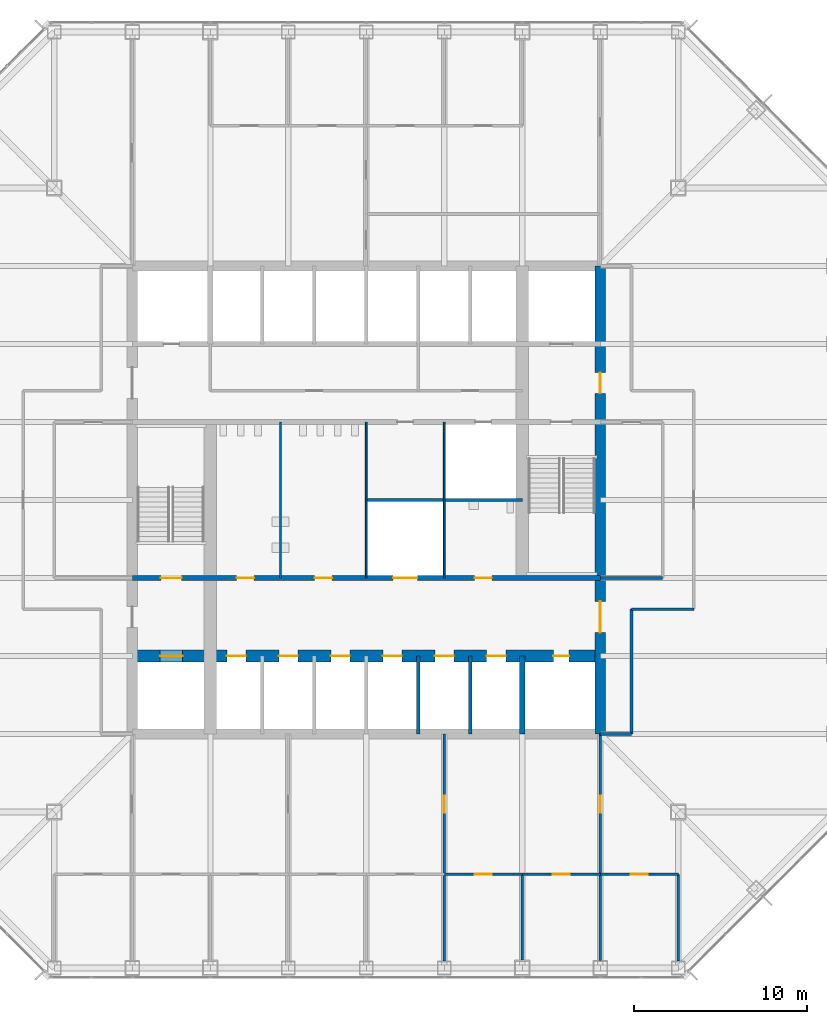
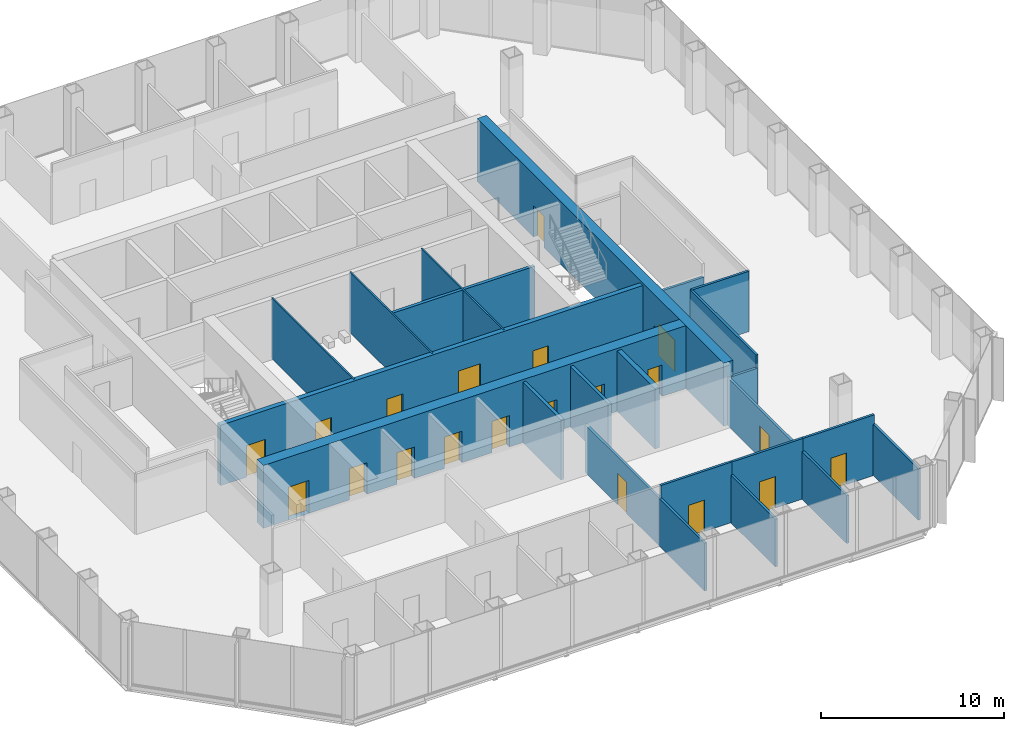
# One storey, part 9 of 13: 23 walls, 20 doors, 20 openings.
"""IFC4 building model written with IfcOpenShell, lengths in metres."""

from ifc_helpers import new_model, si_unit, direction, frame, frame_2d, origin, place, context, subcontext, project, spatial, rectangle, extrude, material, layer, layer_set, type_object, element, fill, save


model = new_model("IFC4")

# Units and contexts
model_context = context("Model", 3, precision=1e-05, world=origin(), true_north=direction((0.0, 1.0)))
body_context = subcontext(model_context, "Body", "Model", "MODEL_VIEW")
ifc_project = project(units=[si_unit("LENGTHUNIT", "METRE"), si_unit("AREAUNIT", "SQUARE_METRE"), si_unit("VOLUMEUNIT", "CUBIC_METRE"), si_unit("PLANEANGLEUNIT", "RADIAN"), si_unit("MASSUNIT", "GRAM", prefix="KILO")], contexts=[model_context])

# Site, building, storey
site_placement = place(None, origin())
site = spatial("IfcSite", under=ifc_project, at=site_placement, CompositionType="ELEMENT")
building_placement = place(site_placement, origin())
building = spatial("IfcBuilding", under=site, at=building_placement, Name="Corais Broadcast Tower", CompositionType="ELEMENT")
storey_placement = place(building_placement, frame((0.0, 0.0, 79.39990234375)))
storey = spatial("IfcBuildingStorey", under=building, at=storey_placement, Name="L17", CompositionType="ELEMENT", Elevation=79.39990234375)

# Wall
ifc_material_1 = material(Name="Concrete blockwork class A, grouted, two-hour", Category="masonry")
ifc_layer_1 = layer(ifc_material_1, 0.300048828125)
ifc_layer_set_1 = layer_set([ifc_layer_1], Name="Concrete blockwork class A, grouted, two-hour")
wall_type_1 = type_object("IfcWallType", Name="Core lobby wall 300", PredefinedType="SOLIDWALL", material=ifc_layer_set_1)
wall_1_placement = place(storey_placement, frame((36.0, 13.5, 0.0), z_axis=(0.0, 0.0, 1.0), x_axis=(0.0, 1.0, 0.0)))
element("IfcWall", 1, at=wall_1_placement, inside=storey, type_object=wall_type_1, Name="CL1 core shaft wall X36A L17", PredefinedType="SOLIDWALL", context=body_context, shape_type="SweptSolid", body=[
    extrude(rectangle(XDim=4.5, YDim=0.300048828125, at=frame_2d((2.25, 0.0))), origin(), (0.0, 0.0, 1.0), 4.0400390625),
])

# Wall, openings, doors
wall_2_placement = place(storey_placement, frame((13.5, 22.5, 0.0), z_axis=(0.0, 0.0, 1.0), x_axis=(1.0, 0.0, 0.0)))
wall_2 = element("IfcWall", 2, at=wall_2_placement, inside=storey, type_object=wall_type_1, Name="CL1 core lobby wall Y225 L17", PredefinedType="SOLIDWALL", context=body_context, shape_type="SweptSolid", body=[
    extrude(rectangle(XDim=27.0, YDim=0.300048828125, at=frame_2d((13.5, 0.0))), origin(), (0.0, 0.0, 1.0), 4.0400390625),
])
opening_1_placement = place(wall_2_placement, frame((1.64990234375, 0.0, 0.0)))
opening_1 = element("IfcOpeningElement", 3, at=opening_1_placement, cuts=wall_2, Name="Opening FD1", PredefinedType="OPENING", context=body_context, shape_type="SweptSolid", body=[
    extrude(rectangle(XDim=1.199951171875, YDim=2.10009765625, at=frame_2d((0.60009765625, 1.050048828125))), frame((0.0, 0.159912109375, 0.0), z_axis=(0.0, -1.0, 0.0), x_axis=(1.0, 0.0, 0.0)), (0.0, 0.0, 1.0), 0.320068359375),
])
opening_2_placement = place(wall_2_placement, frame((6.02490234375, 0.0, 0.0)))
opening_2 = element("IfcOpeningElement", 4, at=opening_2_placement, cuts=wall_2, Name="Opening WD1", PredefinedType="OPENING", context=body_context, shape_type="SweptSolid", body=[
    extrude(rectangle(XDim=1.0, YDim=2.10009765625, at=frame_2d((0.5, 1.050048828125))), frame((0.0, 0.159912109375, 0.0), z_axis=(0.0, -1.0, 0.0), x_axis=(1.0, 0.0, 0.0)), (0.0, 0.0, 1.0), 0.320068359375),
])
opening_3_placement = place(wall_2_placement, frame((10.52490234375, 0.0, 0.0)))
opening_3 = element("IfcOpeningElement", 5, at=opening_3_placement, cuts=wall_2, Name="Opening WD1", PredefinedType="OPENING", context=body_context, shape_type="SweptSolid", body=[
    extrude(rectangle(XDim=1.0, YDim=2.10009765625, at=frame_2d((0.5, 1.050048828125))), frame((0.0, 0.159912109375, 0.0), z_axis=(0.0, -1.0, 0.0), x_axis=(1.0, 0.0, 0.0)), (0.0, 0.0, 1.0), 0.320068359375),
])
opening_4_placement = place(wall_2_placement, frame((19.75, 0.0, 0.0)))
opening_4 = element("IfcOpeningElement", 6, at=opening_4_placement, cuts=wall_2, Name="Opening WD1", PredefinedType="OPENING", context=body_context, shape_type="SweptSolid", body=[
    extrude(rectangle(XDim=1.0, YDim=2.10009765625, at=frame_2d((0.5, 1.050048828125))), frame((0.0, 0.159912109375, 0.0), z_axis=(0.0, -1.0, 0.0), x_axis=(1.0, 0.0, 0.0)), (0.0, 0.0, 1.0), 0.320068359375),
])
opening_5_placement = place(wall_2_placement, frame((15.050048828125, 0.0, 0.0)))
opening_5 = element("IfcOpeningElement", 7, at=opening_5_placement, cuts=wall_2, Name="Opening LD3", PredefinedType="OPENING", context=body_context, shape_type="SweptSolid", body=[
    extrude(rectangle(XDim=1.39990234375, YDim=2.39990234375, at=frame_2d((0.699951171875, 1.199951171875))), frame((0.0, 0.159912109375, 0.0), z_axis=(0.0, -1.0, 0.0), x_axis=(1.0, 0.0, 0.0)), (0.0, 0.0, 1.0), 0.320068359375),
])
ifc_material_2 = material(Name="Steel fire door", Category="steel")
door_type_1 = type_object("IfcDoorType", Name="Fire door 1200x2100", OperationType="SINGLE_SWING_LEFT", PredefinedType="DOOR", material=ifc_material_2)
door_1_placement = place(opening_1_placement, origin())
door_1 = element("IfcDoor", 8, at=door_1_placement, inside=storey, type_object=door_type_1, Name="FD1 stair A door L17", OperationType="SINGLE_SWING_LEFT", OverallHeight=2.10009765625, OverallWidth=1.199951171875, PredefinedType="DOOR", context=body_context, shape_type="SweptSolid", body=[
    extrude(rectangle(XDim=1.199951171875, YDim=2.10009765625, at=frame_2d((0.60009765625, 1.050048828125))), frame((0.0, 0.02490234375, 0.0), z_axis=(0.0, -1.0, 0.0), x_axis=(1.0, 0.0, 0.0)), (0.0, 0.0, 1.0), 0.050048828125),
])
fill(opening_1, door_1)
ifc_material_3 = material(Name="Stainless steel lift door", Category="steel")
door_type_2 = type_object("IfcDoorType", Name="Service lift landing door 1400x2400", OperationType="SLIDING_TO_LEFT", PredefinedType="DOOR", material=ifc_material_3)
door_2_placement = place(opening_5_placement, origin())
door_2 = element("IfcDoor", 9, at=door_2_placement, inside=storey, type_object=door_type_2, Name="LD3 SL1 landing door L17", OperationType="SLIDING_TO_LEFT", OverallHeight=2.39990234375, OverallWidth=1.39990234375, PredefinedType="DOOR", context=body_context, shape_type="SweptSolid", body=[
    extrude(rectangle(XDim=1.39990234375, YDim=2.39990234375, at=frame_2d((0.699951171875, 1.199951171875))), frame((0.0, 0.02490234375, 0.0), z_axis=(0.0, -1.0, 0.0), x_axis=(1.0, 0.0, 0.0)), (0.0, 0.0, 1.0), 0.050048828125),
])
fill(opening_5, door_2)
ifc_material_4 = material(Name="Timber door", Category="wood")
door_type_3 = type_object("IfcDoorType", Name="Toilet door 1000x2100", OperationType="SINGLE_SWING_LEFT", PredefinedType="DOOR", material=ifc_material_4)
door_3_placement = place(opening_2_placement, origin())
door_3 = element("IfcDoor", 10, at=door_3_placement, inside=storey, type_object=door_type_3, Name="WD1 WC male door L17", OperationType="SINGLE_SWING_LEFT", OverallHeight=2.10009765625, OverallWidth=1.0, PredefinedType="DOOR", context=body_context, shape_type="SweptSolid", body=[
    extrude(rectangle(XDim=1.0, YDim=2.10009765625, at=frame_2d((0.5, 1.050048828125))), frame((0.0, 0.02490234375, 0.0), z_axis=(0.0, -1.0, 0.0), x_axis=(1.0, 0.0, 0.0)), (0.0, 0.0, 1.0), 0.050048828125),
])
fill(opening_2, door_3)
door_4_placement = place(opening_3_placement, origin())
door_4 = element("IfcDoor", 11, at=door_4_placement, inside=storey, type_object=door_type_3, Name="WD1 WC female door L17", OperationType="SINGLE_SWING_LEFT", OverallHeight=2.10009765625, OverallWidth=1.0, PredefinedType="DOOR", context=body_context, shape_type="SweptSolid", body=[
    extrude(rectangle(XDim=1.0, YDim=2.10009765625, at=frame_2d((0.5, 1.050048828125))), frame((0.0, 0.02490234375, 0.0), z_axis=(0.0, -1.0, 0.0), x_axis=(1.0, 0.0, 0.0)), (0.0, 0.0, 1.0), 0.050048828125),
])
fill(opening_3, door_4)
door_5_placement = place(opening_4_placement, origin())
door_5 = element("IfcDoor", 12, at=door_5_placement, inside=storey, type_object=door_type_3, Name="WD1 accessible WC door L17", OperationType="SINGLE_SWING_RIGHT", OverallHeight=2.10009765625, OverallWidth=1.0, PredefinedType="DOOR", context=body_context, shape_type="SweptSolid", body=[
    extrude(rectangle(XDim=1.0, YDim=2.10009765625, at=frame_2d((0.5, 1.050048828125))), frame((0.0, 0.02490234375, 0.0), z_axis=(0.0, -1.0, 0.0), x_axis=(1.0, 0.0, 0.0)), (0.0, 0.0, 1.0), 0.050048828125),
])
fill(opening_4, door_5)

ifc_material_5 = material(Name="Concrete C50/60", Category="concrete")
ifc_layer_2 = layer(ifc_material_5, 0.699951171875)
ifc_layer_set_2 = layer_set([ifc_layer_2], Name="Concrete C50/60")
wall_type_2 = type_object("IfcWallType", Name="Core spine wall 700", PredefinedType="SHEAR", material=ifc_layer_set_2)
wall_3_placement = place(storey_placement, frame((13.5, 18.0, 0.0), z_axis=(0.0, 0.0, 1.0), x_axis=(1.0, 0.0, 0.0)))
wall_3 = element("IfcWall", 13, at=wall_3_placement, inside=storey, type_object=wall_type_2, Name="CR700 core wall Y18 L17", PredefinedType="SHEAR", context=body_context, shape_type="SweptSolid", body=[
    extrude(rectangle(XDim=27.0, YDim=0.699951171875, at=frame_2d((13.5, 0.0))), origin(), (0.0, 0.0, 1.0), 4.2001953125),
])
opening_6_placement = place(wall_3_placement, frame((24.300048828125, 0.0, 0.0)))
opening_6 = element("IfcOpeningElement", 14, at=opening_6_placement, cuts=wall_3, Name="Opening RD1", PredefinedType="OPENING", context=body_context, shape_type="SweptSolid", body=[
    extrude(rectangle(XDim=0.89990234375, YDim=2.10009765625, at=frame_2d((0.449951171875, 1.050048828125))), frame((0.0, 0.35986328125, 0.0), z_axis=(0.0, -1.0, 0.0), x_axis=(1.0, 0.0, 0.0)), (0.0, 0.0, 1.0), 0.719970703125),
])
opening_7_placement = place(wall_3_placement, frame((5.449951171875, 0.0, 0.0)))
opening_7 = element("IfcOpeningElement", 15, at=opening_7_placement, cuts=wall_3, Name="Opening LD1", PredefinedType="OPENING", context=body_context, shape_type="SweptSolid", body=[
    extrude(rectangle(XDim=1.10009765625, YDim=2.10009765625, at=frame_2d((0.550048828125, 1.050048828125))), frame((0.0, 0.35986328125, 0.0), z_axis=(0.0, -1.0, 0.0), x_axis=(1.0, 0.0, 0.0)), (0.0, 0.0, 1.0), 0.719970703125),
])
opening_8_placement = place(wall_3_placement, frame((8.449951171875, 0.0, 0.0)))
opening_8 = element("IfcOpeningElement", 16, at=opening_8_placement, cuts=wall_3, Name="Opening LD1", PredefinedType="OPENING", context=body_context, shape_type="SweptSolid", body=[
    extrude(rectangle(XDim=1.10009765625, YDim=2.10009765625, at=frame_2d((0.550048828125, 1.050048828125))), frame((0.0, 0.35986328125, 0.0), z_axis=(0.0, -1.0, 0.0), x_axis=(1.0, 0.0, 0.0)), (0.0, 0.0, 1.0), 0.719970703125),
])
opening_9_placement = place(wall_3_placement, frame((11.449951171875, 0.0, 0.0)))
opening_9 = element("IfcOpeningElement", 17, at=opening_9_placement, cuts=wall_3, Name="Opening LD1", PredefinedType="OPENING", context=body_context, shape_type="SweptSolid", body=[
    extrude(rectangle(XDim=1.10009765625, YDim=2.10009765625, at=frame_2d((0.550048828125, 1.050048828125))), frame((0.0, 0.35986328125, 0.0), z_axis=(0.0, -1.0, 0.0), x_axis=(1.0, 0.0, 0.0)), (0.0, 0.0, 1.0), 0.719970703125),
])
opening_10_placement = place(wall_3_placement, frame((14.449951171875, 0.0, 0.0)))
opening_10 = element("IfcOpeningElement", 18, at=opening_10_placement, cuts=wall_3, Name="Opening LD1", PredefinedType="OPENING", context=body_context, shape_type="SweptSolid", body=[
    extrude(rectangle(XDim=1.10009765625, YDim=2.10009765625, at=frame_2d((0.550048828125, 1.050048828125))), frame((0.0, 0.35986328125, 0.0), z_axis=(0.0, -1.0, 0.0), x_axis=(1.0, 0.0, 0.0)), (0.0, 0.0, 1.0), 0.719970703125),
])
opening_11_placement = place(wall_3_placement, frame((17.449951171875, 0.0, 0.0)))
opening_11 = element("IfcOpeningElement", 19, at=opening_11_placement, cuts=wall_3, Name="Opening LD1", PredefinedType="OPENING", context=body_context, shape_type="SweptSolid", body=[
    extrude(rectangle(XDim=1.10009765625, YDim=2.10009765625, at=frame_2d((0.550048828125, 1.050048828125))), frame((0.0, 0.35986328125, 0.0), z_axis=(0.0, -1.0, 0.0), x_axis=(1.0, 0.0, 0.0)), (0.0, 0.0, 1.0), 0.719970703125),
])
opening_12_placement = place(wall_3_placement, frame((20.449951171875, 0.0, 0.0)))
opening_12 = element("IfcOpeningElement", 20, at=opening_12_placement, cuts=wall_3, Name="Opening LD1", PredefinedType="OPENING", context=body_context, shape_type="SweptSolid", body=[
    extrude(rectangle(XDim=1.10009765625, YDim=2.10009765625, at=frame_2d((0.550048828125, 1.050048828125))), frame((0.0, 0.35986328125, 0.0), z_axis=(0.0, -1.0, 0.0), x_axis=(1.0, 0.0, 0.0)), (0.0, 0.0, 1.0), 0.719970703125),
])
opening_13_placement = place(wall_3_placement, frame((1.60009765625, 0.0, 0.0)))
opening_13 = element("IfcOpeningElement", 21, at=opening_13_placement, cuts=wall_3, Name="Opening LD2", PredefinedType="OPENING", context=body_context, shape_type="SweptSolid", body=[
    extrude(rectangle(XDim=1.300048828125, YDim=2.199951171875, at=frame_2d((0.64990234375, 1.10009765625))), frame((0.0, 0.35986328125, 0.0), z_axis=(0.0, -1.0, 0.0), x_axis=(1.0, 0.0, 0.0)), (0.0, 0.0, 1.0), 0.719970703125),
])
ifc_material_6 = material(Name="Stainless steel lift door", Category="steel")
door_type_4 = type_object("IfcDoorType", Name="Lift landing door 1100x2100", OperationType="SLIDING_TO_LEFT", PredefinedType="DOOR", material=ifc_material_6)
door_6_placement = place(opening_7_placement, origin())
door_6 = element("IfcDoor", 22, at=door_6_placement, inside=storey, type_object=door_type_4, Name="LD1 PL1 landing door L17", OperationType="SLIDING_TO_LEFT", OverallHeight=2.10009765625, OverallWidth=1.10009765625, PredefinedType="DOOR", context=body_context, shape_type="SweptSolid", body=[
    extrude(rectangle(XDim=1.10009765625, YDim=2.10009765625, at=frame_2d((0.550048828125, 1.050048828125))), frame((0.0, 0.02490234375, 0.0), z_axis=(0.0, -1.0, 0.0), x_axis=(1.0, 0.0, 0.0)), (0.0, 0.0, 1.0), 0.050048828125),
])
fill(opening_7, door_6)
door_7_placement = place(opening_8_placement, origin())
door_7 = element("IfcDoor", 23, at=door_7_placement, inside=storey, type_object=door_type_4, Name="LD1 PL2 landing door L17", OperationType="SLIDING_TO_LEFT", OverallHeight=2.10009765625, OverallWidth=1.10009765625, PredefinedType="DOOR", context=body_context, shape_type="SweptSolid", body=[
    extrude(rectangle(XDim=1.10009765625, YDim=2.10009765625, at=frame_2d((0.550048828125, 1.050048828125))), frame((0.0, 0.02490234375, 0.0), z_axis=(0.0, -1.0, 0.0), x_axis=(1.0, 0.0, 0.0)), (0.0, 0.0, 1.0), 0.050048828125),
])
fill(opening_8, door_7)
door_8_placement = place(opening_9_placement, origin())
door_8 = element("IfcDoor", 24, at=door_8_placement, inside=storey, type_object=door_type_4, Name="LD1 PL3 landing door L17", OperationType="SLIDING_TO_LEFT", OverallHeight=2.10009765625, OverallWidth=1.10009765625, PredefinedType="DOOR", context=body_context, shape_type="SweptSolid", body=[
    extrude(rectangle(XDim=1.10009765625, YDim=2.10009765625, at=frame_2d((0.550048828125, 1.050048828125))), frame((0.0, 0.02490234375, 0.0), z_axis=(0.0, -1.0, 0.0), x_axis=(1.0, 0.0, 0.0)), (0.0, 0.0, 1.0), 0.050048828125),
])
fill(opening_9, door_8)
door_9_placement = place(opening_10_placement, origin())
door_9 = element("IfcDoor", 25, at=door_9_placement, inside=storey, type_object=door_type_4, Name="LD1 PL4 landing door L17", OperationType="SLIDING_TO_LEFT", OverallHeight=2.10009765625, OverallWidth=1.10009765625, PredefinedType="DOOR", context=body_context, shape_type="SweptSolid", body=[
    extrude(rectangle(XDim=1.10009765625, YDim=2.10009765625, at=frame_2d((0.550048828125, 1.050048828125))), frame((0.0, 0.02490234375, 0.0), z_axis=(0.0, -1.0, 0.0), x_axis=(1.0, 0.0, 0.0)), (0.0, 0.0, 1.0), 0.050048828125),
])
fill(opening_10, door_9)
door_10_placement = place(opening_11_placement, origin())
door_10 = element("IfcDoor", 26, at=door_10_placement, inside=storey, type_object=door_type_4, Name="LD1 PL5 landing door L17", OperationType="SLIDING_TO_LEFT", OverallHeight=2.10009765625, OverallWidth=1.10009765625, PredefinedType="DOOR", context=body_context, shape_type="SweptSolid", body=[
    extrude(rectangle(XDim=1.10009765625, YDim=2.10009765625, at=frame_2d((0.550048828125, 1.050048828125))), frame((0.0, 0.02490234375, 0.0), z_axis=(0.0, -1.0, 0.0), x_axis=(1.0, 0.0, 0.0)), (0.0, 0.0, 1.0), 0.050048828125),
])
fill(opening_11, door_10)
door_11_placement = place(opening_12_placement, origin())
door_11 = element("IfcDoor", 27, at=door_11_placement, inside=storey, type_object=door_type_4, Name="LD1 PL6 landing door L17", OperationType="SLIDING_TO_LEFT", OverallHeight=2.10009765625, OverallWidth=1.10009765625, PredefinedType="DOOR", context=body_context, shape_type="SweptSolid", body=[
    extrude(rectangle(XDim=1.10009765625, YDim=2.10009765625, at=frame_2d((0.550048828125, 1.050048828125))), frame((0.0, 0.02490234375, 0.0), z_axis=(0.0, -1.0, 0.0), x_axis=(1.0, 0.0, 0.0)), (0.0, 0.0, 1.0), 0.050048828125),
])
fill(opening_12, door_11)
ifc_material_7 = material(Name="Stainless steel lift door", Category="steel")
door_type_5 = type_object("IfcDoorType", Name="Lift landing door 1300x2200", OperationType="SLIDING_TO_LEFT", PredefinedType="DOOR", material=ifc_material_7)
door_12_placement = place(opening_13_placement, origin())
door_12 = element("IfcDoor", 28, at=door_12_placement, inside=storey, type_object=door_type_5, Name="LD2 FL1 landing door L17", OperationType="SLIDING_TO_LEFT", OverallHeight=2.199951171875, OverallWidth=1.300048828125, PredefinedType="DOOR", context=body_context, shape_type="SweptSolid", body=[
    extrude(rectangle(XDim=1.300048828125, YDim=2.199951171875, at=frame_2d((0.64990234375, 1.10009765625))), frame((0.0, 0.02490234375, 0.0), z_axis=(0.0, -1.0, 0.0), x_axis=(1.0, 0.0, 0.0)), (0.0, 0.0, 1.0), 0.050048828125),
])
fill(opening_13, door_12)
ifc_material_8 = material(Name="Steel fire door", Category="steel")
door_type_6 = type_object("IfcDoorType", Name="Riser door 900x2100", OperationType="SINGLE_SWING_LEFT", PredefinedType="DOOR", material=ifc_material_8)
door_13_placement = place(opening_6_placement, origin())
door_13 = element("IfcDoor", 29, at=door_13_placement, inside=storey, type_object=door_type_6, Name="RD1 riser door L17", OperationType="SINGLE_SWING_RIGHT", OverallHeight=2.10009765625, OverallWidth=0.89990234375, PredefinedType="DOOR", context=body_context, shape_type="SweptSolid", body=[
    extrude(rectangle(XDim=0.89990234375, YDim=2.10009765625, at=frame_2d((0.449951171875, 1.050048828125))), frame((0.0, 0.02490234375, 0.0), z_axis=(0.0, -1.0, 0.0), x_axis=(1.0, 0.0, 0.0)), (0.0, 0.0, 1.0), 0.050048828125),
])
fill(opening_6, door_13)

ifc_material_9 = material(Name="Concrete C50/60", Category="concrete")
ifc_layer_3 = layer(ifc_material_9, 0.60009765625)
ifc_layer_set_3 = layer_set([ifc_layer_3], Name="Concrete C50/60")
wall_type_3 = type_object("IfcWallType", Name="Core wall 600", PredefinedType="SHEAR", material=ifc_layer_set_3)
wall_4_placement = place(storey_placement, frame((40.5, 13.5, 0.0), z_axis=(0.0, 0.0, 1.0), x_axis=(0.0, 1.0, 0.0)))
wall_4 = element("IfcWall", 30, at=wall_4_placement, inside=storey, type_object=wall_type_3, Name="CR600 core wall E L17", PredefinedType="SHEAR", context=body_context, shape_type="SweptSolid", body=[
    extrude(rectangle(XDim=27.0, YDim=0.60009765625, at=frame_2d((13.5, 0.0))), origin(), (0.0, 0.0, 1.0), 4.2001953125),
])
opening_14_placement = place(wall_4_placement, frame((5.85009765625, 0.0, 0.0)))
opening_14 = element("IfcOpeningElement", 31, at=opening_14_placement, cuts=wall_4, Name="Opening FD2", PredefinedType="OPENING", context=body_context, shape_type="SweptSolid", body=[
    extrude(rectangle(XDim=1.800048828125, YDim=2.10009765625, at=frame_2d((0.89990234375, 1.050048828125))), frame((0.0, 0.31005859375, 0.0), z_axis=(0.0, -1.0, 0.0), x_axis=(1.0, 0.0, 0.0)), (0.0, 0.0, 1.0), 0.6201171875),
])
opening_15_placement = place(wall_4_placement, frame((19.64990234375, 0.0, 0.0)))
opening_15 = element("IfcOpeningElement", 32, at=opening_15_placement, cuts=wall_4, Name="Opening FD1", PredefinedType="OPENING", context=body_context, shape_type="SweptSolid", body=[
    extrude(rectangle(XDim=1.199951171875, YDim=2.10009765625, at=frame_2d((0.60009765625, 1.050048828125))), frame((0.0, 0.31005859375, 0.0), z_axis=(0.0, -1.0, 0.0), x_axis=(1.0, 0.0, 0.0)), (0.0, 0.0, 1.0), 0.6201171875),
])
door_14_placement = place(opening_15_placement, origin())
door_14 = element("IfcDoor", 33, at=door_14_placement, inside=storey, type_object=door_type_1, Name="FD1 fire lobby B door L17", OperationType="SINGLE_SWING_RIGHT", OverallHeight=2.10009765625, OverallWidth=1.199951171875, PredefinedType="DOOR", context=body_context, shape_type="SweptSolid", body=[
    extrude(rectangle(XDim=1.199951171875, YDim=2.10009765625, at=frame_2d((0.60009765625, 1.050048828125))), frame((0.0, 0.02490234375, 0.0), z_axis=(0.0, -1.0, 0.0), x_axis=(1.0, 0.0, 0.0)), (0.0, 0.0, 1.0), 0.050048828125),
])
fill(opening_15, door_14)
ifc_material_10 = material(Name="Steel fire door", Category="steel")
door_type_7 = type_object("IfcDoorType", Name="Fire door pair 1800x2100", OperationType="DOUBLE_DOOR_SINGLE_SWING", PredefinedType="DOOR", material=ifc_material_10)
door_15_placement = place(opening_14_placement, origin())
door_15 = element("IfcDoor", 34, at=door_15_placement, inside=storey, type_object=door_type_7, Name="FD2 lift lobby door L17", OperationType="SINGLE_SWING_LEFT", OverallHeight=2.10009765625, OverallWidth=1.800048828125, PredefinedType="DOOR", context=body_context, shape_type="SweptSolid", body=[
    extrude(rectangle(XDim=1.800048828125, YDim=2.10009765625, at=frame_2d((0.89990234375, 1.050048828125))), frame((0.0, 0.02490234375, 0.0), z_axis=(0.0, -1.0, 0.0), x_axis=(1.0, 0.0, 0.0)), (0.0, 0.0, 1.0), 0.050048828125),
])
fill(opening_14, door_15)

# Walls
ifc_material_11 = material(Name="Gypsum board on steel studs", Category="steel")
ifc_layer_4 = layer(ifc_material_11, 0.14990234375)
ifc_layer_set_4 = layer_set([ifc_layer_4], Name="Gypsum board on steel studs")
wall_type_4 = type_object("IfcWallType", Name="Partition 150", PredefinedType="PARTITIONING", material=ifc_layer_set_4)
wall_5_placement = place(storey_placement, frame((42.300048828125, 13.5, 0.0), z_axis=(0.0, 0.0, 1.0), x_axis=(0.0, 1.0, 0.0)))
element("IfcWall", 35, at=wall_5_placement, inside=storey, type_object=wall_type_4, Name="IW3 corridor wall L17", PredefinedType="PARTITIONING", context=body_context, shape_type="SweptSolid", body=[
    extrude(rectangle(XDim=7.199951171875, YDim=0.14990234375, at=frame_2d((3.60009765625, 0.0))), origin(), (0.0, 0.0, 1.0), 4.0400390625),
])
wall_6_placement = place(storey_placement, frame((42.300048828125, 20.699951171875, 0.0), z_axis=(0.0, 0.0, 1.0), x_axis=(1.0, 0.0, 0.0)))
element("IfcWall", 36, at=wall_6_placement, inside=storey, type_object=wall_type_4, Name="IW3 corridor wall L17", PredefinedType="PARTITIONING", context=body_context, shape_type="SweptSolid", body=[
    extrude(rectangle(XDim=3.599853515625, YDim=0.14990234375, at=frame_2d((1.7998046875, 0.0))), origin(), (0.0, 0.0, 1.0), 4.0400390625),
])
wall_7_placement = place(storey_placement, frame((40.489990234375, 13.5, 0.0), z_axis=(0.0, 0.0, 1.0), x_axis=(1.0, 0.0, 0.0)))
element("IfcWall", 37, at=wall_7_placement, inside=storey, type_object=wall_type_4, Name="IW3 corridor wall L17", PredefinedType="PARTITIONING", context=body_context, shape_type="SweptSolid", body=[
    extrude(rectangle(XDim=1.81005859375, YDim=0.14990234375, at=frame_2d((0.905029296875, 0.0))), origin(), (0.0, 0.0, 1.0), 3.189208984375),
])
wall_8_placement = place(storey_placement, frame((31.5, 0.409912109375, 0.0), z_axis=(0.0, 0.0, 1.0), x_axis=(0.0, 1.0, 0.0)))
element("IfcWall", 38, at=wall_8_placement, inside=storey, type_object=wall_type_4, Name="IW3 partition L17", PredefinedType="PARTITIONING", context=body_context, shape_type="SweptSolid", body=[
    extrude(rectangle(XDim=4.989990234375, YDim=0.14990234375, at=frame_2d((2.4951171875, 0.0))), origin(), (0.0, 0.0, 1.0), 3.189208984375),
])
wall_9_placement = place(storey_placement, frame((36.0, 0.4599609375, 0.0), z_axis=(0.0, 0.0, 1.0), x_axis=(0.0, 1.0, 0.0)))
element("IfcWall", 39, at=wall_9_placement, inside=storey, type_object=wall_type_4, Name="IW3 partition L17", PredefinedType="PARTITIONING", context=body_context, shape_type="SweptSolid", body=[
    extrude(rectangle(XDim=4.93994140625, YDim=0.14990234375, at=frame_2d((2.469970703125, 0.0))), origin(), (0.0, 0.0, 1.0), 3.189208984375),
])

# Wall, opening, door
wall_10_placement = place(storey_placement, frame((36.0, 5.39990234375, 0.0), z_axis=(0.0, 0.0, 1.0), x_axis=(-1.0, 0.0, 0.0)))
wall_10 = element("IfcWall", 40, at=wall_10_placement, inside=storey, type_object=wall_type_4, Name="IW3 partition L17", PredefinedType="PARTITIONING", context=body_context, shape_type="SweptSolid", body=[
    extrude(rectangle(XDim=4.5, YDim=0.14990234375, at=frame_2d((2.25, 0.0))), origin(), (0.0, 0.0, 1.0), 4.0400390625),
])
opening_16_placement = place(wall_10_placement, frame((1.75, 0.0, 0.0)))
opening_16 = element("IfcOpeningElement", 41, at=opening_16_placement, cuts=wall_10, Name="Opening D1", PredefinedType="OPENING", context=body_context, shape_type="SweptSolid", body=[
    extrude(rectangle(XDim=1.0, YDim=2.10009765625, at=frame_2d((0.5, 1.050048828125))), frame((0.0, 0.0849609375, 0.0), z_axis=(0.0, -1.0, 0.0), x_axis=(1.0, 0.0, 0.0)), (0.0, 0.0, 1.0), 0.169921875),
])
ifc_material_12 = material(Name="Timber door", Category="wood")
door_type_8 = type_object("IfcDoorType", Name="Single door 1000x2100", OperationType="SINGLE_SWING_LEFT", PredefinedType="DOOR", material=ifc_material_12)
door_16_placement = place(opening_16_placement, origin())
door_16 = element("IfcDoor", 42, at=door_16_placement, inside=storey, type_object=door_type_8, Name="D1 Office door", OperationType="SINGLE_SWING_LEFT", OverallHeight=2.10009765625, OverallWidth=1.0, PredefinedType="DOOR", context=body_context, shape_type="SweptSolid", body=[
    extrude(rectangle(XDim=1.0, YDim=2.10009765625, at=frame_2d((0.5, 1.050048828125))), frame((0.0, 0.02490234375, 0.0), z_axis=(0.0, -1.0, 0.0), x_axis=(1.0, 0.0, 0.0)), (0.0, 0.0, 1.0), 0.050048828125),
])
fill(opening_16, door_16)

# Wall
wall_11_placement = place(storey_placement, frame((40.5, 0.43505859375, 0.0), z_axis=(0.0, 0.0, 1.0), x_axis=(0.0, 1.0, 0.0)))
element("IfcWall", 43, at=wall_11_placement, inside=storey, type_object=wall_type_4, Name="IW3 partition L17", PredefinedType="PARTITIONING", context=body_context, shape_type="SweptSolid", body=[
    extrude(rectangle(XDim=4.96484375, YDim=0.14990234375, at=frame_2d((2.482421875, 0.0))), origin(), (0.0, 0.0, 1.0), 3.189208984375),
])

# Wall, opening, door
wall_12_placement = place(storey_placement, frame((40.5, 5.39990234375, 0.0), z_axis=(0.0, 0.0, 1.0), x_axis=(-1.0, 0.0, 0.0)))
wall_12 = element("IfcWall", 44, at=wall_12_placement, inside=storey, type_object=wall_type_4, Name="IW3 partition L17", PredefinedType="PARTITIONING", context=body_context, shape_type="SweptSolid", body=[
    extrude(rectangle(XDim=4.5, YDim=0.14990234375, at=frame_2d((2.25, 0.0))), origin(), (0.0, 0.0, 1.0), 4.0400390625),
])
opening_17_placement = place(wall_12_placement, frame((1.75, 0.0, 0.0)))
opening_17 = element("IfcOpeningElement", 45, at=opening_17_placement, cuts=wall_12, Name="Opening D1", PredefinedType="OPENING", context=body_context, shape_type="SweptSolid", body=[
    extrude(rectangle(XDim=1.0, YDim=2.10009765625, at=frame_2d((0.5, 1.050048828125))), frame((0.0, 0.0849609375, 0.0), z_axis=(0.0, -1.0, 0.0), x_axis=(1.0, 0.0, 0.0)), (0.0, 0.0, 1.0), 0.169921875),
])
door_17_placement = place(opening_17_placement, origin())
door_17 = element("IfcDoor", 46, at=door_17_placement, inside=storey, type_object=door_type_8, Name="D1 Office door", OperationType="SINGLE_SWING_LEFT", OverallHeight=2.10009765625, OverallWidth=1.0, PredefinedType="DOOR", context=body_context, shape_type="SweptSolid", body=[
    extrude(rectangle(XDim=1.0, YDim=2.10009765625, at=frame_2d((0.5, 1.050048828125))), frame((0.0, 0.02490234375, 0.0), z_axis=(0.0, -1.0, 0.0), x_axis=(1.0, 0.0, 0.0)), (0.0, 0.0, 1.0), 0.050048828125),
])
fill(opening_17, door_17)

# Wall
wall_13_placement = place(storey_placement, frame((45.0, 0.409912109375, 0.0), z_axis=(0.0, 0.0, 1.0), x_axis=(0.0, 1.0, 0.0)))
element("IfcWall", 47, at=wall_13_placement, inside=storey, type_object=wall_type_4, Name="IW3 partition L17", PredefinedType="PARTITIONING", context=body_context, shape_type="SweptSolid", body=[
    extrude(rectangle(XDim=4.989990234375, YDim=0.14990234375, at=frame_2d((2.4951171875, 0.0))), origin(), (0.0, 0.0, 1.0), 3.42919921875),
])

# Wall, opening, door
wall_14_placement = place(storey_placement, frame((45.0, 5.39990234375, 0.0), z_axis=(0.0, 0.0, 1.0), x_axis=(-1.0, 0.0, 0.0)))
wall_14 = element("IfcWall", 48, at=wall_14_placement, inside=storey, type_object=wall_type_4, Name="IW3 partition L17", PredefinedType="PARTITIONING", context=body_context, shape_type="SweptSolid", body=[
    extrude(rectangle(XDim=4.5, YDim=0.14990234375, at=frame_2d((2.25, 0.0))), origin(), (0.0, 0.0, 1.0), 4.0400390625),
])
opening_18_placement = place(wall_14_placement, frame((1.75, 0.0, 0.0)))
opening_18 = element("IfcOpeningElement", 49, at=opening_18_placement, cuts=wall_14, Name="Opening D1", PredefinedType="OPENING", context=body_context, shape_type="SweptSolid", body=[
    extrude(rectangle(XDim=1.0, YDim=2.10009765625, at=frame_2d((0.5, 1.050048828125))), frame((0.0, 0.0849609375, 0.0), z_axis=(0.0, -1.0, 0.0), x_axis=(1.0, 0.0, 0.0)), (0.0, 0.0, 1.0), 0.169921875),
])
door_18_placement = place(opening_18_placement, origin())
door_18 = element("IfcDoor", 50, at=door_18_placement, inside=storey, type_object=door_type_8, Name="D1 Office door", OperationType="SINGLE_SWING_LEFT", OverallHeight=2.10009765625, OverallWidth=1.0, PredefinedType="DOOR", context=body_context, shape_type="SweptSolid", body=[
    extrude(rectangle(XDim=1.0, YDim=2.10009765625, at=frame_2d((0.5, 1.050048828125))), frame((0.0, 0.02490234375, 0.0), z_axis=(0.0, -1.0, 0.0), x_axis=(1.0, 0.0, 0.0)), (0.0, 0.0, 1.0), 0.050048828125),
])
fill(opening_18, door_18)

# Wall
wall_15_placement = place(storey_placement, frame((40.5, 22.5, 0.0), z_axis=(0.0, 0.0, 1.0), x_axis=(1.0, 0.0, 0.0)))
element("IfcWall", 51, at=wall_15_placement, inside=storey, type_object=wall_type_4, Name="IW3 partition L17", PredefinedType="PARTITIONING", context=body_context, shape_type="SweptSolid", body=[
    extrude(rectangle(XDim=3.60009765625, YDim=0.14990234375, at=frame_2d((1.800048828125, 0.0))), origin(), (0.0, 0.0, 1.0), 3.189208984375),
])

# Wall, opening, door
wall_16_placement = place(storey_placement, frame((40.5, 5.39990234375, 0.0), z_axis=(0.0, 0.0, 1.0), x_axis=(0.0, 1.0, 0.0)))
wall_16 = element("IfcWall", 52, at=wall_16_placement, inside=storey, type_object=wall_type_4, Name="IW3 partition L17", PredefinedType="PARTITIONING", context=body_context, shape_type="SweptSolid", body=[
    extrude(rectangle(XDim=8.10009765625, YDim=0.14990234375, at=frame_2d((4.050048828125, 0.0))), origin(), (0.0, 0.0, 1.0), 3.189208984375),
])
opening_19_placement = place(wall_16_placement, frame((3.550048828125, 0.0, 0.0)))
opening_19 = element("IfcOpeningElement", 53, at=opening_19_placement, cuts=wall_16, Name="Opening D1", PredefinedType="OPENING", context=body_context, shape_type="SweptSolid", body=[
    extrude(rectangle(XDim=1.0, YDim=2.10009765625, at=frame_2d((0.5, 1.050048828125))), frame((0.0, 0.0849609375, 0.0), z_axis=(0.0, -1.0, 0.0), x_axis=(1.0, 0.0, 0.0)), (0.0, 0.0, 1.0), 0.169921875),
])
door_19_placement = place(opening_19_placement, origin())
door_19 = element("IfcDoor", 54, at=door_19_placement, inside=storey, type_object=door_type_8, Name="D1 team room door L17", OperationType="SINGLE_SWING_LEFT", OverallHeight=2.10009765625, OverallWidth=1.0, PredefinedType="DOOR", context=body_context, shape_type="SweptSolid", body=[
    extrude(rectangle(XDim=1.0, YDim=2.10009765625, at=frame_2d((0.5, 1.050048828125))), frame((0.0, 0.02490234375, 0.0), z_axis=(0.0, -1.0, 0.0), x_axis=(1.0, 0.0, 0.0)), (0.0, 0.0, 1.0), 0.050048828125),
])
fill(opening_19, door_19)

wall_17_placement = place(storey_placement, frame((31.5, 13.5, 0.0), z_axis=(0.0, 0.0, 1.0), x_axis=(0.0, -1.0, 0.0)))
wall_17 = element("IfcWall", 55, at=wall_17_placement, inside=storey, type_object=wall_type_4, Name="IW3 partition L17", PredefinedType="PARTITIONING", context=body_context, shape_type="SweptSolid", body=[
    extrude(rectangle(XDim=8.10009765625, YDim=0.14990234375, at=frame_2d((4.050048828125, 0.0))), origin(), (0.0, 0.0, 1.0), 3.189208984375),
])
opening_20_placement = place(wall_17_placement, frame((3.550048828125, 0.0, 0.0)))
opening_20 = element("IfcOpeningElement", 56, at=opening_20_placement, cuts=wall_17, Name="Opening D1", PredefinedType="OPENING", context=body_context, shape_type="SweptSolid", body=[
    extrude(rectangle(XDim=1.0, YDim=2.10009765625, at=frame_2d((0.5, 1.050048828125))), frame((0.0, 0.0849609375, 0.0), z_axis=(0.0, -1.0, 0.0), x_axis=(1.0, 0.0, 0.0)), (0.0, 0.0, 1.0), 0.169921875),
])
door_20_placement = place(opening_20_placement, origin())
door_20 = element("IfcDoor", 57, at=door_20_placement, inside=storey, type_object=door_type_8, Name="D1 team room door L17", OperationType="SINGLE_SWING_LEFT", OverallHeight=2.10009765625, OverallWidth=1.0, PredefinedType="DOOR", context=body_context, shape_type="SweptSolid", body=[
    extrude(rectangle(XDim=1.0, YDim=2.10009765625, at=frame_2d((0.5, 1.050048828125))), frame((0.0, 0.02490234375, 0.0), z_axis=(0.0, -1.0, 0.0), x_axis=(1.0, 0.0, 0.0)), (0.0, 0.0, 1.0), 0.050048828125),
])
fill(opening_20, door_20)

# Walls
ifc_material_13 = material(Name="Concrete blockwork class A, grouted, two-hour", Category="masonry")
ifc_layer_5 = layer(ifc_material_13, 0.199951171875)
ifc_layer_set_5 = layer_set([ifc_layer_5], Name="Concrete blockwork class A, grouted, two-hour")
wall_type_5 = type_object("IfcWallType", Name="Shaft wall 200", PredefinedType="PARTITIONING", material=ifc_layer_set_5)
for number, where, z_axis, x_axis, name in (
    (58, (30.0, 13.5, 0.0), (0.0, 0.0, 1.0), (0.0, 1.0, 0.0), "IW1 shaft wall L17"),
    (59, (33.0, 13.5, 0.0), (0.0, 0.0, 1.0), (0.0, 1.0, 0.0), "IW1 shaft wall L17"),
):
    element("IfcWall", number, at=place(storey_placement, frame(where, z_axis=z_axis, x_axis=x_axis)), inside=storey, type_object=wall_type_5, Name=name, PredefinedType="PARTITIONING", context=body_context, shape_type="SweptSolid", body=[
        extrude(rectangle(XDim=4.5, YDim=0.199951171875, at=frame_2d((2.25, 0.0))), origin(), (0.0, 0.0, 1.0), 4.0400390625),
    ])
wall_18_placement = place(storey_placement, frame((27.0, 27.0, 0.0), z_axis=(0.0, 0.0, 1.0), x_axis=(1.0, 0.0, 0.0)))
element("IfcWall", 60, at=wall_18_placement, inside=storey, type_object=wall_type_5, Name="IW1 shaft wall L17", PredefinedType="PARTITIONING", context=body_context, shape_type="SweptSolid", body=[
    extrude(rectangle(XDim=9.0, YDim=0.199951171875, at=frame_2d((4.5, 0.0))), origin(), (0.0, 0.0, 1.0), 4.0400390625),
])
ifc_material_14 = material(Name="Dense concrete blockwork class A, tiled both faces", Category="masonry")
ifc_layer_6 = layer(ifc_material_14, 0.10009765625)
ifc_layer_set_6 = layer_set([ifc_layer_6], Name="Dense concrete blockwork class A, tiled both faces")
wall_type_6 = type_object("IfcWallType", Name="Toilet wall 100", PredefinedType="PLUMBINGWALL", material=ifc_layer_set_6)
for number, where, z_axis, x_axis, name in (
    (61, (22.050048828125, 22.5, 0.0), (0.0, 0.0, 1.0), (0.0, 1.0, 0.0), "IW2 toilet wall L17"),
    (62, (27.0, 22.5, 0.0), (0.0, 0.0, 1.0), (0.0, 1.0, 0.0), "IW2 toilet wall L17"),
    (63, (31.5, 22.5, 0.0), (0.0, 0.0, 1.0), (0.0, 1.0, 0.0), "IW2 toilet wall L17"),
):
    element("IfcWall", number, at=place(storey_placement, frame(where, z_axis=z_axis, x_axis=x_axis)), inside=storey, type_object=wall_type_6, Name=name, PredefinedType="PLUMBINGWALL", context=body_context, shape_type="SweptSolid", body=[
        extrude(rectangle(XDim=9.0, YDim=0.10009765625, at=frame_2d((4.5, 0.0))), origin(), (0.0, 0.0, 1.0), 4.0400390625),
    ])

save(model, "model.ifc")
